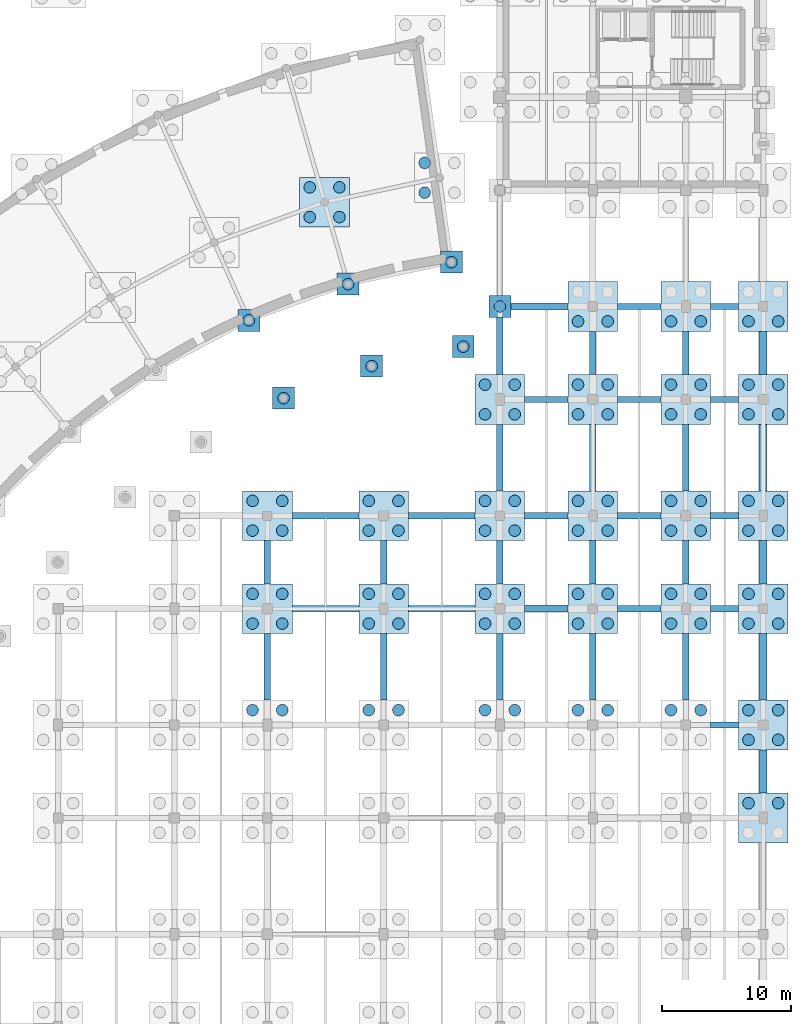
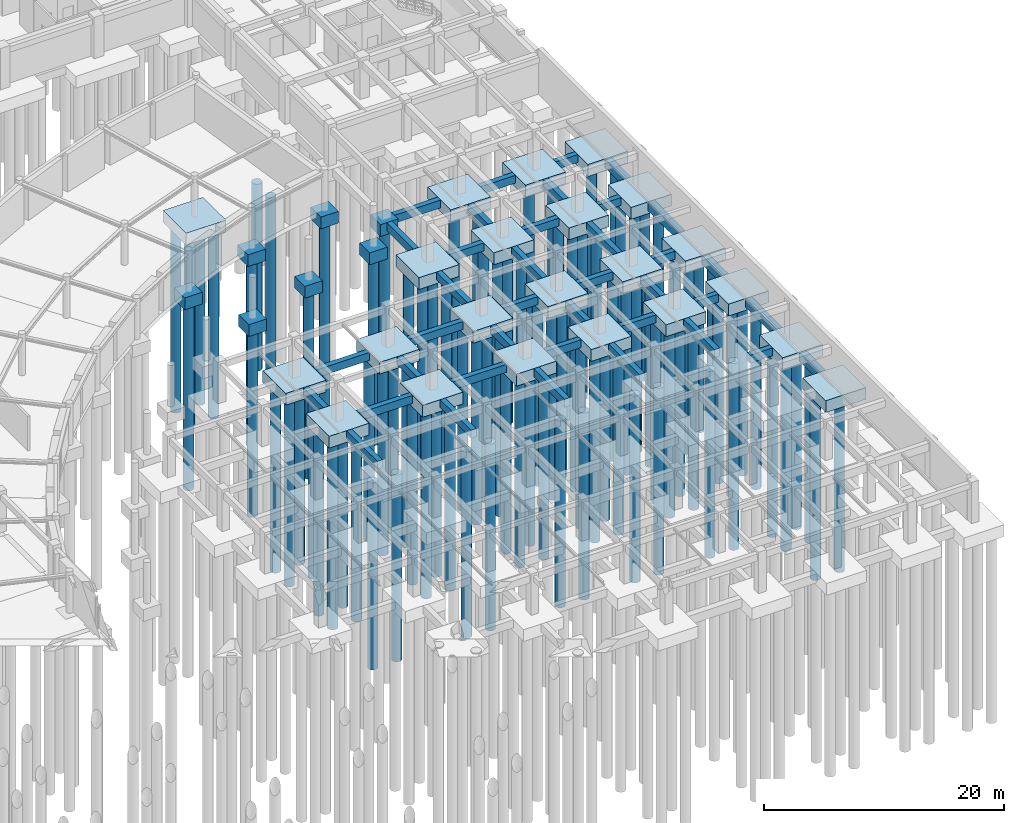
# One storey, part 10 of 42: 99 piles, 67 footings.
"""IFC4 building model written with IfcOpenShell, lengths in metres."""

from ifc_helpers import new_model, si_unit, direction, frame, frame_2d, origin, origin_2d, place, context, subcontext, project, spatial, rectangle, circle, extrude, material, material_profile, profile_set, type_object, element, save


model = new_model("IFC4")

# Units and contexts
model_context = context("Model", 3, precision=1e-05, world=origin(), true_north=direction((0.0, 1.0)))
body_context = subcontext(model_context, "Body", "Model", "MODEL_VIEW")
ifc_project = project(units=[si_unit("LENGTHUNIT", "METRE"), si_unit("AREAUNIT", "SQUARE_METRE"), si_unit("VOLUMEUNIT", "CUBIC_METRE"), si_unit("PLANEANGLEUNIT", "RADIAN"), si_unit("MASSUNIT", "GRAM", prefix="KILO")], contexts=[model_context])

# Site, building, storey
site_placement = place(None, origin())
site = spatial("IfcSite", under=ifc_project, at=site_placement, CompositionType="ELEMENT")
building_placement = place(site_placement, origin())
building = spatial("IfcBuilding", under=site, at=building_placement, Name="Clarverna Civic Hall", CompositionType="ELEMENT")
storey_placement = place(building_placement, frame((0.0, 0.0, -4.199951171875)))
storey = spatial("IfcBuildingStorey", under=building, at=storey_placement, Name="B01", CompositionType="ELEMENT", Elevation=-4.199951171875)

# Footings
ifc_material = material(Name="Concrete C30/37", Category="concrete")
footing_type_1 = type_object("IfcFootingType", Name="FC-02", PredefinedType="PILE_CAP", material=ifc_material)
for number, where, z_axis, x_axis, name in (
    (1, (134.0283203125, 70.67431640625, -1.2001953125), (0.0, 0.0, 1.0), (1.0, 0.0, 0.0), "FC-02-002"),
    (2, (129.60009765625, 39.199951171875, -1.2001953125), (0.0, 0.0, 1.0), (1.0, 0.0, 0.0), "FC-02-116"),
    (3, (129.60009765625, 46.39990234375, -1.2001953125), (0.0, 0.0, 1.0), (1.0, 0.0, 0.0), "FC-02-117"),
    (4, (138.60009765625, 39.199951171875, -1.2001953125), (0.0, 0.0, 1.0), (1.0, 0.0, 0.0), "FC-02-123"),
    (5, (138.60009765625, 46.39990234375, -1.2001953125), (0.0, 0.0, 1.0), (1.0, 0.0, 0.0), "FC-02-124"),
    (6, (147.60009765625, 39.199951171875, -1.2001953125), (0.0, 0.0, 1.0), (1.0, 0.0, 0.0), "FC-02-130"),
    (7, (147.60009765625, 46.39990234375, -1.2001953125), (0.0, 0.0, 1.0), (1.0, 0.0, 0.0), "FC-02-131"),
    (8, (147.60009765625, 55.39990234375, -1.2001953125), (0.0, 0.0, 1.0), (1.0, 0.0, 0.0), "FC-02-132"),
    (9, (154.800048828125, 39.199951171875, -1.2001953125), (0.0, 0.0, 1.0), (1.0, 0.0, 0.0), "FC-02-138"),
    (10, (154.800048828125, 46.39990234375, -1.2001953125), (0.0, 0.0, 1.0), (1.0, 0.0, 0.0), "FC-02-139"),
    (11, (154.800048828125, 55.39990234375, -1.2001953125), (0.0, 0.0, 1.0), (1.0, 0.0, 0.0), "FC-02-140"),
    (12, (154.800048828125, 62.60009765625, -1.2001953125), (0.0, 0.0, 1.0), (1.0, 0.0, 0.0), "FC-02-141"),
    (13, (162.0, 39.199951171875, -1.2001953125), (0.0, 0.0, 1.0), (1.0, 0.0, 0.0), "FC-02-147"),
    (14, (162.0, 46.39990234375, -1.2001953125), (0.0, 0.0, 1.0), (1.0, 0.0, 0.0), "FC-02-148"),
    (15, (162.0, 55.39990234375, -1.2001953125), (0.0, 0.0, 1.0), (1.0, 0.0, 0.0), "FC-02-149"),
    (16, (162.0, 62.60009765625, -1.2001953125), (0.0, 0.0, 1.0), (1.0, 0.0, 0.0), "FC-02-150"),
    (17, (168.0, 23.0, -1.2001953125), (0.0, 0.0, 1.0), (1.0, 0.0, 0.0), "FC-02-154"),
    (18, (168.0, 30.199951171875, -1.2001953125), (0.0, 0.0, 1.0), (1.0, 0.0, 0.0), "FC-02-155"),
    (19, (168.0, 39.199951171875, -1.2001953125), (0.0, 0.0, 1.0), (1.0, 0.0, 0.0), "FC-02-156"),
    (20, (168.0, 46.39990234375, -1.2001953125), (0.0, 0.0, 1.0), (1.0, 0.0, 0.0), "FC-02-157"),
    (21, (168.0, 55.39990234375, -1.2001953125), (0.0, 0.0, 1.0), (1.0, 0.0, 0.0), "FC-02-158"),
    (22, (168.0, 62.60009765625, -1.2001953125), (0.0, 0.0, 1.0), (1.0, 0.0, 0.0), "FC-02-159"),
):
    element("IfcFooting", number, at=place(storey_placement, frame(where, z_axis=z_axis, x_axis=x_axis)), inside=storey, type_object=footing_type_1, Name=name, PredefinedType="PILE_CAP", context=body_context, shape_type="SweptSolid", body=[
        extrude(rectangle(XDim=3.85009765625, YDim=3.85009765625, at=origin_2d()), origin(), (0.0, 0.0, 1.0), 1.199951171875),
    ])
footing_type_2 = type_object("IfcFootingType", Name="FC-06", PredefinedType="PILE_CAP", material=ifc_material)
for number, where, z_axis, x_axis, name in (
    (23, (143.844482421875, 66.02978515625, -1.2001953125), (0.0, 0.0, 1.0), (1.0, 0.0, 0.0), "FC-06-002"),
    (24, (135.84765625, 64.329833984375, -1.2001953125), (0.0, 0.0, 1.0), (1.0, 0.0, 0.0), "FC-06-003"),
    (25, (128.165283203125, 61.53369140625, -1.2001953125), (0.0, 0.0, 1.0), (1.0, 0.0, 0.0), "FC-06-004"),
    (26, (144.762939453125, 59.493896484375, -1.2001953125), (0.0, 0.0, 1.0), (1.0, 0.0, 0.0), "FC-06-012"),
    (27, (137.6669921875, 57.985595703125, -1.2001953125), (0.0, 0.0, 1.0), (1.0, 0.0, 0.0), "FC-06-013"),
    (28, (130.849609375, 55.50439453125, -1.2001953125), (0.0, 0.0, 1.0), (1.0, 0.0, 0.0), "FC-06-014"),
    (29, (147.60009765625, 62.60009765625, -1.2001953125), (0.0, 0.0, 1.0), (1.0, 0.0, 0.0), "FC-06-027"),
):
    element("IfcFooting", number, at=place(storey_placement, frame(where, z_axis=z_axis, x_axis=x_axis)), inside=storey, type_object=footing_type_2, Name=name, PredefinedType="PILE_CAP", context=body_context, shape_type="SweptSolid", body=[
        extrude(rectangle(XDim=1.699951171875, YDim=1.699951171875, at=origin_2d()), origin(), (0.0, 0.0, 1.0), 1.199951171875),
    ])
footing_type_3 = type_object("IfcFootingType", Name="GB-01", PredefinedType="FOOTING_BEAM", material=ifc_material)
footing_1_placement = place(storey_placement, frame((163.925048828125, 30.199951171875, -0.800048828125), z_axis=(0.0, 0.0, 1.0), x_axis=(1.0, 0.0, 0.0)))
element("IfcFooting", 30, at=footing_1_placement, inside=storey, type_object=footing_type_3, Name="GB-01-057", PredefinedType="FOOTING_BEAM", context=body_context, shape_type="SweptSolid", body=[
    extrude(rectangle(XDim=2.14990234375, YDim=0.5, at=frame_2d((1.074951171875, 0.0))), origin(), (0.0, 0.0, 1.0), 0.800048828125),
])
for number, where, z_axis, x_axis, name in (
    (31, (131.52490234375, 39.199951171875, -0.800048828125), (0.0, 0.0, 1.0), (1.0, 0.0, 0.0), "GB-01-063"),
    (32, (140.52490234375, 39.199951171875, -0.800048828125), (0.0, 0.0, 1.0), (1.0, 0.0, 0.0), "GB-01-064"),
):
    element("IfcFooting", number, at=place(storey_placement, frame(where, z_axis=z_axis, x_axis=x_axis)), inside=storey, type_object=footing_type_3, Name=name, PredefinedType="FOOTING_BEAM", context=body_context, shape_type="SweptSolid", body=[
        extrude(rectangle(XDim=5.150146484375, YDim=0.5, at=frame_2d((2.5751953125, 0.0))), origin(), (0.0, 0.0, 1.0), 0.800048828125),
    ])
footing_2_placement = place(storey_placement, frame((149.52490234375, 39.199951171875, -0.800048828125), z_axis=(0.0, 0.0, 1.0), x_axis=(1.0, 0.0, 0.0)))
element("IfcFooting", 33, at=footing_2_placement, inside=storey, type_object=footing_type_3, Name="GB-01-065", PredefinedType="FOOTING_BEAM", context=body_context, shape_type="SweptSolid", body=[
    extrude(rectangle(XDim=3.35009765625, YDim=0.5, at=frame_2d((1.675048828125, 0.0))), origin(), (0.0, 0.0, 1.0), 0.800048828125),
])
footing_3_placement = place(storey_placement, frame((156.72509765625, 39.199951171875, -0.800048828125), z_axis=(0.0, 0.0, 1.0), x_axis=(1.0, 0.0, 0.0)))
element("IfcFooting", 34, at=footing_3_placement, inside=storey, type_object=footing_type_3, Name="GB-01-066", PredefinedType="FOOTING_BEAM", context=body_context, shape_type="SweptSolid", body=[
    extrude(rectangle(XDim=3.349853515625, YDim=0.5, at=frame_2d((1.6748046875, 0.0))), origin(), (0.0, 0.0, 1.0), 0.800048828125),
])
footing_4_placement = place(storey_placement, frame((163.925048828125, 39.199951171875, -0.800048828125), z_axis=(0.0, 0.0, 1.0), x_axis=(1.0, 0.0, 0.0)))
element("IfcFooting", 35, at=footing_4_placement, inside=storey, type_object=footing_type_3, Name="GB-01-067", PredefinedType="FOOTING_BEAM", context=body_context, shape_type="SweptSolid", body=[
    extrude(rectangle(XDim=2.14990234375, YDim=0.5, at=frame_2d((1.074951171875, 0.0))), origin(), (0.0, 0.0, 1.0), 0.800048828125),
])
for number, where, z_axis, x_axis, name in (
    (36, (131.52490234375, 46.39990234375, -0.800048828125), (0.0, 0.0, 1.0), (1.0, 0.0, 0.0), "GB-01-077"),
    (37, (140.52490234375, 46.39990234375, -0.800048828125), (0.0, 0.0, 1.0), (1.0, 0.0, 0.0), "GB-01-078"),
):
    element("IfcFooting", number, at=place(storey_placement, frame(where, z_axis=z_axis, x_axis=x_axis)), inside=storey, type_object=footing_type_3, Name=name, PredefinedType="FOOTING_BEAM", context=body_context, shape_type="SweptSolid", body=[
        extrude(rectangle(XDim=5.150146484375, YDim=0.5, at=frame_2d((2.5751953125, 0.0))), origin(), (0.0, 0.0, 1.0), 0.800048828125),
    ])
footing_5_placement = place(storey_placement, frame((149.52490234375, 46.39990234375, -0.800048828125), z_axis=(0.0, 0.0, 1.0), x_axis=(1.0, 0.0, 0.0)))
element("IfcFooting", 38, at=footing_5_placement, inside=storey, type_object=footing_type_3, Name="GB-01-079", PredefinedType="FOOTING_BEAM", context=body_context, shape_type="SweptSolid", body=[
    extrude(rectangle(XDim=3.35009765625, YDim=0.5, at=frame_2d((1.675048828125, 0.0))), origin(), (0.0, 0.0, 1.0), 0.800048828125),
])
footing_6_placement = place(storey_placement, frame((156.72509765625, 46.39990234375, -0.800048828125), z_axis=(0.0, 0.0, 1.0), x_axis=(1.0, 0.0, 0.0)))
element("IfcFooting", 39, at=footing_6_placement, inside=storey, type_object=footing_type_3, Name="GB-01-080", PredefinedType="FOOTING_BEAM", context=body_context, shape_type="SweptSolid", body=[
    extrude(rectangle(XDim=3.349853515625, YDim=0.5, at=frame_2d((1.6748046875, 0.0))), origin(), (0.0, 0.0, 1.0), 0.800048828125),
])
footing_7_placement = place(storey_placement, frame((163.925048828125, 46.39990234375, -0.800048828125), z_axis=(0.0, 0.0, 1.0), x_axis=(1.0, 0.0, 0.0)))
element("IfcFooting", 40, at=footing_7_placement, inside=storey, type_object=footing_type_3, Name="GB-01-081", PredefinedType="FOOTING_BEAM", context=body_context, shape_type="SweptSolid", body=[
    extrude(rectangle(XDim=2.14990234375, YDim=0.5, at=frame_2d((1.074951171875, 0.0))), origin(), (0.0, 0.0, 1.0), 0.800048828125),
])
footing_8_placement = place(storey_placement, frame((149.52490234375, 55.39990234375, -0.800048828125), z_axis=(0.0, 0.0, 1.0), x_axis=(1.0, 0.0, 0.0)))
element("IfcFooting", 41, at=footing_8_placement, inside=storey, type_object=footing_type_3, Name="GB-01-090", PredefinedType="FOOTING_BEAM", context=body_context, shape_type="SweptSolid", body=[
    extrude(rectangle(XDim=3.35009765625, YDim=0.5, at=frame_2d((1.675048828125, 0.0))), origin(), (0.0, 0.0, 1.0), 0.800048828125),
])
footing_9_placement = place(storey_placement, frame((156.72509765625, 55.39990234375, -0.800048828125), z_axis=(0.0, 0.0, 1.0), x_axis=(1.0, 0.0, 0.0)))
element("IfcFooting", 42, at=footing_9_placement, inside=storey, type_object=footing_type_3, Name="GB-01-091", PredefinedType="FOOTING_BEAM", context=body_context, shape_type="SweptSolid", body=[
    extrude(rectangle(XDim=3.349853515625, YDim=0.5, at=frame_2d((1.6748046875, 0.0))), origin(), (0.0, 0.0, 1.0), 0.800048828125),
])
footing_10_placement = place(storey_placement, frame((163.925048828125, 55.39990234375, -0.800048828125), z_axis=(0.0, 0.0, 1.0), x_axis=(1.0, 0.0, 0.0)))
element("IfcFooting", 43, at=footing_10_placement, inside=storey, type_object=footing_type_3, Name="GB-01-092", PredefinedType="FOOTING_BEAM", context=body_context, shape_type="SweptSolid", body=[
    extrude(rectangle(XDim=2.14990234375, YDim=0.5, at=frame_2d((1.074951171875, 0.0))), origin(), (0.0, 0.0, 1.0), 0.800048828125),
])
footing_11_placement = place(storey_placement, frame((148.449951171875, 62.60009765625, -0.800048828125), z_axis=(0.0, 0.0, 1.0), x_axis=(1.0, 0.0, 0.0)))
element("IfcFooting", 44, at=footing_11_placement, inside=storey, type_object=footing_type_3, Name="GB-01-101", PredefinedType="FOOTING_BEAM", context=body_context, shape_type="SweptSolid", body=[
    extrude(rectangle(XDim=4.425048828125, YDim=0.5, at=frame_2d((2.21240234375, 0.0))), origin(), (0.0, 0.0, 1.0), 0.800048828125),
])
footing_12_placement = place(storey_placement, frame((156.72509765625, 62.60009765625, -0.800048828125), z_axis=(0.0, 0.0, 1.0), x_axis=(1.0, 0.0, 0.0)))
element("IfcFooting", 45, at=footing_12_placement, inside=storey, type_object=footing_type_3, Name="GB-01-102", PredefinedType="FOOTING_BEAM", context=body_context, shape_type="SweptSolid", body=[
    extrude(rectangle(XDim=3.349853515625, YDim=0.5, at=frame_2d((1.6748046875, 0.0))), origin(), (0.0, 0.0, 1.0), 0.800048828125),
])
footing_13_placement = place(storey_placement, frame((163.925048828125, 62.60009765625, -0.800048828125), z_axis=(0.0, 0.0, 1.0), x_axis=(1.0, 0.0, 0.0)))
element("IfcFooting", 46, at=footing_13_placement, inside=storey, type_object=footing_type_3, Name="GB-01-103", PredefinedType="FOOTING_BEAM", context=body_context, shape_type="SweptSolid", body=[
    extrude(rectangle(XDim=2.14990234375, YDim=0.5, at=frame_2d((1.074951171875, 0.0))), origin(), (0.0, 0.0, 1.0), 0.800048828125),
])
footing_14_placement = place(storey_placement, frame((129.60009765625, 32.125, -0.800048828125), z_axis=(0.0, 0.0, 1.0), x_axis=(0.0, 1.0, 0.0)))
element("IfcFooting", 47, at=footing_14_placement, inside=storey, type_object=footing_type_3, Name="GB-01-292", PredefinedType="FOOTING_BEAM", context=body_context, shape_type="SweptSolid", body=[
    extrude(rectangle(XDim=5.14990234375, YDim=0.5, at=frame_2d((2.574951171875, 0.0))), origin(), (0.0, 0.0, 1.0), 0.800048828125),
])
footing_15_placement = place(storey_placement, frame((129.60009765625, 41.125, -0.800048828125), z_axis=(0.0, 0.0, 1.0), x_axis=(0.0, 1.0, 0.0)))
element("IfcFooting", 48, at=footing_15_placement, inside=storey, type_object=footing_type_3, Name="GB-01-293", PredefinedType="FOOTING_BEAM", context=body_context, shape_type="SweptSolid", body=[
    extrude(rectangle(XDim=3.35009765625, YDim=0.5, at=frame_2d((1.675048828125, 0.0))), origin(), (0.0, 0.0, 1.0), 0.800048828125),
])
footing_16_placement = place(storey_placement, frame((138.60009765625, 32.125, -0.800048828125), z_axis=(0.0, 0.0, 1.0), x_axis=(0.0, 1.0, 0.0)))
element("IfcFooting", 49, at=footing_16_placement, inside=storey, type_object=footing_type_3, Name="GB-01-301", PredefinedType="FOOTING_BEAM", context=body_context, shape_type="SweptSolid", body=[
    extrude(rectangle(XDim=5.14990234375, YDim=0.5, at=frame_2d((2.574951171875, 0.0))), origin(), (0.0, 0.0, 1.0), 0.800048828125),
])
footing_17_placement = place(storey_placement, frame((138.60009765625, 41.125, -0.800048828125), z_axis=(0.0, 0.0, 1.0), x_axis=(0.0, 1.0, 0.0)))
element("IfcFooting", 50, at=footing_17_placement, inside=storey, type_object=footing_type_3, Name="GB-01-302", PredefinedType="FOOTING_BEAM", context=body_context, shape_type="SweptSolid", body=[
    extrude(rectangle(XDim=3.35009765625, YDim=0.5, at=frame_2d((1.675048828125, 0.0))), origin(), (0.0, 0.0, 1.0), 0.800048828125),
])
footing_18_placement = place(storey_placement, frame((147.60009765625, 32.125, -0.800048828125), z_axis=(0.0, 0.0, 1.0), x_axis=(0.0, 1.0, 0.0)))
element("IfcFooting", 51, at=footing_18_placement, inside=storey, type_object=footing_type_3, Name="GB-01-308", PredefinedType="FOOTING_BEAM", context=body_context, shape_type="SweptSolid", body=[
    extrude(rectangle(XDim=5.14990234375, YDim=0.5, at=frame_2d((2.574951171875, 0.0))), origin(), (0.0, 0.0, 1.0), 0.800048828125),
])
footing_19_placement = place(storey_placement, frame((147.60009765625, 41.125, -0.800048828125), z_axis=(0.0, 0.0, 1.0), x_axis=(0.0, 1.0, 0.0)))
element("IfcFooting", 52, at=footing_19_placement, inside=storey, type_object=footing_type_3, Name="GB-01-309", PredefinedType="FOOTING_BEAM", context=body_context, shape_type="SweptSolid", body=[
    extrude(rectangle(XDim=3.35009765625, YDim=0.5, at=frame_2d((1.675048828125, 0.0))), origin(), (0.0, 0.0, 1.0), 0.800048828125),
])
footing_20_placement = place(storey_placement, frame((147.60009765625, 48.324951171875, -0.800048828125), z_axis=(0.0, 0.0, 1.0), x_axis=(0.0, 1.0, 0.0)))
element("IfcFooting", 53, at=footing_20_placement, inside=storey, type_object=footing_type_3, Name="GB-01-310", PredefinedType="FOOTING_BEAM", context=body_context, shape_type="SweptSolid", body=[
    extrude(rectangle(XDim=5.150146484375, YDim=0.5, at=frame_2d((2.5751953125, 0.0))), origin(), (0.0, 0.0, 1.0), 0.800048828125),
])
footing_21_placement = place(storey_placement, frame((147.60009765625, 57.324951171875, -0.800048828125), z_axis=(0.0, 0.0, 1.0), x_axis=(0.0, 1.0, 0.0)))
element("IfcFooting", 54, at=footing_21_placement, inside=storey, type_object=footing_type_3, Name="GB-01-311", PredefinedType="FOOTING_BEAM", context=body_context, shape_type="SweptSolid", body=[
    extrude(rectangle(XDim=4.425048828125, YDim=0.5, at=frame_2d((2.21240234375, 0.0))), origin(), (0.0, 0.0, 1.0), 0.800048828125),
])
footing_22_placement = place(storey_placement, frame((154.800048828125, 32.125, -0.800048828125), z_axis=(0.0, 0.0, 1.0), x_axis=(0.0, 1.0, 0.0)))
element("IfcFooting", 55, at=footing_22_placement, inside=storey, type_object=footing_type_3, Name="GB-01-323", PredefinedType="FOOTING_BEAM", context=body_context, shape_type="SweptSolid", body=[
    extrude(rectangle(XDim=5.14990234375, YDim=0.5, at=frame_2d((2.574951171875, 0.0))), origin(), (0.0, 0.0, 1.0), 0.800048828125),
])
footing_23_placement = place(storey_placement, frame((154.800048828125, 41.125, -0.800048828125), z_axis=(0.0, 0.0, 1.0), x_axis=(0.0, 1.0, 0.0)))
element("IfcFooting", 56, at=footing_23_placement, inside=storey, type_object=footing_type_3, Name="GB-01-324", PredefinedType="FOOTING_BEAM", context=body_context, shape_type="SweptSolid", body=[
    extrude(rectangle(XDim=3.35009765625, YDim=0.5, at=frame_2d((1.675048828125, 0.0))), origin(), (0.0, 0.0, 1.0), 0.800048828125),
])
footing_24_placement = place(storey_placement, frame((154.800048828125, 48.324951171875, -0.800048828125), z_axis=(0.0, 0.0, 1.0), x_axis=(0.0, 1.0, 0.0)))
element("IfcFooting", 57, at=footing_24_placement, inside=storey, type_object=footing_type_3, Name="GB-01-325", PredefinedType="FOOTING_BEAM", context=body_context, shape_type="SweptSolid", body=[
    extrude(rectangle(XDim=5.150146484375, YDim=0.5, at=frame_2d((2.5751953125, 0.0))), origin(), (0.0, 0.0, 1.0), 0.800048828125),
])
footing_25_placement = place(storey_placement, frame((154.800048828125, 57.324951171875, -0.800048828125), z_axis=(0.0, 0.0, 1.0), x_axis=(0.0, 1.0, 0.0)))
element("IfcFooting", 58, at=footing_25_placement, inside=storey, type_object=footing_type_3, Name="GB-01-326", PredefinedType="FOOTING_BEAM", context=body_context, shape_type="SweptSolid", body=[
    extrude(rectangle(XDim=3.35009765625, YDim=0.5, at=frame_2d((1.675048828125, 0.0))), origin(), (0.0, 0.0, 1.0), 0.800048828125),
])
footing_26_placement = place(storey_placement, frame((162.0, 32.125, -0.800048828125), z_axis=(0.0, 0.0, 1.0), x_axis=(0.0, 1.0, 0.0)))
element("IfcFooting", 59, at=footing_26_placement, inside=storey, type_object=footing_type_3, Name="GB-01-338", PredefinedType="FOOTING_BEAM", context=body_context, shape_type="SweptSolid", body=[
    extrude(rectangle(XDim=5.14990234375, YDim=0.5, at=frame_2d((2.574951171875, 0.0))), origin(), (0.0, 0.0, 1.0), 0.800048828125),
])
footing_27_placement = place(storey_placement, frame((162.0, 41.125, -0.800048828125), z_axis=(0.0, 0.0, 1.0), x_axis=(0.0, 1.0, 0.0)))
element("IfcFooting", 60, at=footing_27_placement, inside=storey, type_object=footing_type_3, Name="GB-01-339", PredefinedType="FOOTING_BEAM", context=body_context, shape_type="SweptSolid", body=[
    extrude(rectangle(XDim=3.35009765625, YDim=0.5, at=frame_2d((1.675048828125, 0.0))), origin(), (0.0, 0.0, 1.0), 0.800048828125),
])
footing_28_placement = place(storey_placement, frame((162.0, 48.324951171875, -0.800048828125), z_axis=(0.0, 0.0, 1.0), x_axis=(0.0, 1.0, 0.0)))
element("IfcFooting", 61, at=footing_28_placement, inside=storey, type_object=footing_type_3, Name="GB-01-340", PredefinedType="FOOTING_BEAM", context=body_context, shape_type="SweptSolid", body=[
    extrude(rectangle(XDim=5.150146484375, YDim=0.5, at=frame_2d((2.5751953125, 0.0))), origin(), (0.0, 0.0, 1.0), 0.800048828125),
])
footing_29_placement = place(storey_placement, frame((162.0, 57.324951171875, -0.800048828125), z_axis=(0.0, 0.0, 1.0), x_axis=(0.0, 1.0, 0.0)))
element("IfcFooting", 62, at=footing_29_placement, inside=storey, type_object=footing_type_3, Name="GB-01-341", PredefinedType="FOOTING_BEAM", context=body_context, shape_type="SweptSolid", body=[
    extrude(rectangle(XDim=3.35009765625, YDim=0.5, at=frame_2d((1.675048828125, 0.0))), origin(), (0.0, 0.0, 1.0), 0.800048828125),
])
footing_type_4 = type_object("IfcFootingType", Name="GB-02", PredefinedType="FOOTING_BEAM", material=ifc_material)
footing_30_placement = place(storey_placement, frame((168.0, 24.925048828125, -0.900146484375), z_axis=(0.0, 0.0, 1.0), x_axis=(0.0, 1.0, 0.0)))
element("IfcFooting", 63, at=footing_30_placement, inside=storey, type_object=footing_type_4, Name="GB-02-053", PredefinedType="FOOTING_BEAM", context=body_context, shape_type="SweptSolid", body=[
    extrude(rectangle(XDim=3.349853515625, YDim=0.60009765625, at=frame_2d((1.6748046875, 0.0))), origin(), (0.0, 0.0, 1.0), 0.900146484375),
])
footing_31_placement = place(storey_placement, frame((168.0, 32.125, -0.900146484375), z_axis=(0.0, 0.0, 1.0), x_axis=(0.0, 1.0, 0.0)))
element("IfcFooting", 64, at=footing_31_placement, inside=storey, type_object=footing_type_4, Name="GB-02-054", PredefinedType="FOOTING_BEAM", context=body_context, shape_type="SweptSolid", body=[
    extrude(rectangle(XDim=5.14990234375, YDim=0.60009765625, at=frame_2d((2.574951171875, 0.0))), origin(), (0.0, 0.0, 1.0), 0.900146484375),
])
footing_32_placement = place(storey_placement, frame((168.0, 41.125, -0.900146484375), z_axis=(0.0, 0.0, 1.0), x_axis=(0.0, 1.0, 0.0)))
element("IfcFooting", 65, at=footing_32_placement, inside=storey, type_object=footing_type_4, Name="GB-02-055", PredefinedType="FOOTING_BEAM", context=body_context, shape_type="SweptSolid", body=[
    extrude(rectangle(XDim=3.35009765625, YDim=0.60009765625, at=frame_2d((1.675048828125, 0.0))), origin(), (0.0, 0.0, 1.0), 0.900146484375),
])
footing_33_placement = place(storey_placement, frame((168.0, 48.324951171875, -0.900146484375), z_axis=(0.0, 0.0, 1.0), x_axis=(0.0, 1.0, 0.0)))
element("IfcFooting", 66, at=footing_33_placement, inside=storey, type_object=footing_type_4, Name="GB-02-056", PredefinedType="FOOTING_BEAM", context=body_context, shape_type="SweptSolid", body=[
    extrude(rectangle(XDim=5.150146484375, YDim=0.60009765625, at=frame_2d((2.5751953125, 0.0))), origin(), (0.0, 0.0, 1.0), 0.900146484375),
])
footing_34_placement = place(storey_placement, frame((168.0, 57.324951171875, -0.900146484375), z_axis=(0.0, 0.0, 1.0), x_axis=(0.0, 1.0, 0.0)))
element("IfcFooting", 67, at=footing_34_placement, inside=storey, type_object=footing_type_4, Name="GB-02-057", PredefinedType="FOOTING_BEAM", context=body_context, shape_type="SweptSolid", body=[
    extrude(rectangle(XDim=3.35009765625, YDim=0.60009765625, at=frame_2d((1.675048828125, 0.0))), origin(), (0.0, 0.0, 1.0), 0.900146484375),
])

# Piles
ifc_material_profile = material_profile(ifc_material, circle(Radius=0.449951171875, at=origin_2d()), Name="BORED PILE D900")
ifc_profile_set = profile_set([ifc_material_profile], Name="Concrete C30/37")
pile_type = type_object("IfcPileType", Name="PL-01", PredefinedType="BORED", material=ifc_profile_set)
for number, where, z_axis, x_axis, name in (
    (68, (141.77587890625, 71.41552734375, -1.10009765625), (0.0, 0.0, -1.0), (1.0, 0.0, 0.0), "PL-01-025"),
    (69, (141.77587890625, 73.715576171875, -1.10009765625), (0.0, 0.0, -1.0), (1.0, 0.0, 0.0), "PL-01-027"),
    (70, (132.87841796875, 69.5244140625, -1.10009765625), (0.0, 0.0, -1.0), (1.0, 0.0, 0.0), "PL-01-029"),
    (71, (135.178466796875, 69.5244140625, -1.10009765625), (0.0, 0.0, -1.0), (1.0, 0.0, 0.0), "PL-01-030"),
    (72, (132.87841796875, 71.82421875, -1.10009765625), (0.0, 0.0, -1.0), (1.0, 0.0, 0.0), "PL-01-031"),
    (73, (135.178466796875, 71.82421875, -1.10009765625), (0.0, 0.0, -1.0), (1.0, 0.0, 0.0), "PL-01-032"),
    (74, (143.844482421875, 66.02978515625, -1.10009765625), (0.0, 0.0, -1.0), (1.0, 0.0, 0.0), "PL-01-098"),
    (75, (135.84765625, 64.329833984375, -1.10009765625), (0.0, 0.0, -1.0), (1.0, 0.0, 0.0), "PL-01-099"),
    (76, (128.165283203125, 61.53369140625, -1.10009765625), (0.0, 0.0, -1.0), (1.0, 0.0, 0.0), "PL-01-100"),
    (77, (144.762939453125, 59.493896484375, -1.10009765625), (0.0, 0.0, -1.0), (1.0, 0.0, 0.0), "PL-01-108"),
    (78, (137.6669921875, 57.985595703125, -1.10009765625), (0.0, 0.0, -1.0), (1.0, 0.0, 0.0), "PL-01-109"),
    (79, (130.849609375, 55.50439453125, -1.10009765625), (0.0, 0.0, -1.0), (1.0, 0.0, 0.0), "PL-01-110"),
    (80, (128.449951171875, 31.35009765625, -1.10009765625), (0.0, 0.0, -1.0), (1.0, 0.0, 0.0), "PL-01-539"),
    (81, (130.75, 31.35009765625, -1.10009765625), (0.0, 0.0, -1.0), (1.0, 0.0, 0.0), "PL-01-540"),
    (82, (128.449951171875, 38.050048828125, -1.10009765625), (0.0, 0.0, -1.0), (1.0, 0.0, 0.0), "PL-01-541"),
    (83, (130.75, 38.050048828125, -1.10009765625), (0.0, 0.0, -1.0), (1.0, 0.0, 0.0), "PL-01-542"),
    (84, (128.449951171875, 40.35009765625, -1.10009765625), (0.0, 0.0, -1.0), (1.0, 0.0, 0.0), "PL-01-543"),
    (85, (130.75, 40.35009765625, -1.10009765625), (0.0, 0.0, -1.0), (1.0, 0.0, 0.0), "PL-01-544"),
    (86, (128.449951171875, 45.25, -1.10009765625), (0.0, 0.0, -1.0), (1.0, 0.0, 0.0), "PL-01-545"),
    (87, (130.75, 45.25, -1.10009765625), (0.0, 0.0, -1.0), (1.0, 0.0, 0.0), "PL-01-546"),
    (88, (128.449951171875, 47.550048828125, -1.10009765625), (0.0, 0.0, -1.0), (1.0, 0.0, 0.0), "PL-01-547"),
    (89, (130.75, 47.550048828125, -1.10009765625), (0.0, 0.0, -1.0), (1.0, 0.0, 0.0), "PL-01-548"),
    (90, (137.449951171875, 31.35009765625, -1.10009765625), (0.0, 0.0, -1.0), (1.0, 0.0, 0.0), "PL-01-585"),
    (91, (139.75, 31.35009765625, -1.10009765625), (0.0, 0.0, -1.0), (1.0, 0.0, 0.0), "PL-01-586"),
    (92, (137.449951171875, 38.050048828125, -1.10009765625), (0.0, 0.0, -1.0), (1.0, 0.0, 0.0), "PL-01-587"),
    (93, (139.75, 38.050048828125, -1.10009765625), (0.0, 0.0, -1.0), (1.0, 0.0, 0.0), "PL-01-588"),
    (94, (137.449951171875, 40.35009765625, -1.10009765625), (0.0, 0.0, -1.0), (1.0, 0.0, 0.0), "PL-01-589"),
    (95, (139.75, 40.35009765625, -1.10009765625), (0.0, 0.0, -1.0), (1.0, 0.0, 0.0), "PL-01-590"),
    (96, (137.449951171875, 45.25, -1.10009765625), (0.0, 0.0, -1.0), (1.0, 0.0, 0.0), "PL-01-591"),
    (97, (139.75, 45.25, -1.10009765625), (0.0, 0.0, -1.0), (1.0, 0.0, 0.0), "PL-01-592"),
    (98, (137.449951171875, 47.550048828125, -1.10009765625), (0.0, 0.0, -1.0), (1.0, 0.0, 0.0), "PL-01-593"),
    (99, (139.75, 47.550048828125, -1.10009765625), (0.0, 0.0, -1.0), (1.0, 0.0, 0.0), "PL-01-594"),
    (100, (146.449951171875, 31.35009765625, -1.10009765625), (0.0, 0.0, -1.0), (1.0, 0.0, 0.0), "PL-01-625"),
    (101, (148.75, 31.35009765625, -1.10009765625), (0.0, 0.0, -1.0), (1.0, 0.0, 0.0), "PL-01-626"),
    (102, (146.449951171875, 38.050048828125, -1.10009765625), (0.0, 0.0, -1.0), (1.0, 0.0, 0.0), "PL-01-627"),
    (103, (148.75, 38.050048828125, -1.10009765625), (0.0, 0.0, -1.0), (1.0, 0.0, 0.0), "PL-01-628"),
    (104, (146.449951171875, 40.35009765625, -1.10009765625), (0.0, 0.0, -1.0), (1.0, 0.0, 0.0), "PL-01-629"),
    (105, (148.75, 40.35009765625, -1.10009765625), (0.0, 0.0, -1.0), (1.0, 0.0, 0.0), "PL-01-630"),
    (106, (146.449951171875, 45.25, -1.10009765625), (0.0, 0.0, -1.0), (1.0, 0.0, 0.0), "PL-01-631"),
    (107, (148.75, 45.25, -1.10009765625), (0.0, 0.0, -1.0), (1.0, 0.0, 0.0), "PL-01-632"),
    (108, (146.449951171875, 47.550048828125, -1.10009765625), (0.0, 0.0, -1.0), (1.0, 0.0, 0.0), "PL-01-633"),
    (109, (148.75, 47.550048828125, -1.10009765625), (0.0, 0.0, -1.0), (1.0, 0.0, 0.0), "PL-01-634"),
    (110, (146.449951171875, 54.25, -1.10009765625), (0.0, 0.0, -1.0), (1.0, 0.0, 0.0), "PL-01-635"),
    (111, (148.75, 54.25, -1.10009765625), (0.0, 0.0, -1.0), (1.0, 0.0, 0.0), "PL-01-636"),
    (112, (146.449951171875, 56.550048828125, -1.10009765625), (0.0, 0.0, -1.0), (1.0, 0.0, 0.0), "PL-01-637"),
    (113, (148.75, 56.550048828125, -1.10009765625), (0.0, 0.0, -1.0), (1.0, 0.0, 0.0), "PL-01-638"),
    (114, (147.60009765625, 62.60009765625, -1.10009765625), (0.0, 0.0, -1.0), (1.0, 0.0, 0.0), "PL-01-639"),
    (115, (153.64990234375, 31.35009765625, -1.10009765625), (0.0, 0.0, -1.0), (1.0, 0.0, 0.0), "PL-01-689"),
    (116, (155.949951171875, 31.35009765625, -1.10009765625), (0.0, 0.0, -1.0), (1.0, 0.0, 0.0), "PL-01-690"),
    (117, (153.64990234375, 38.050048828125, -1.10009765625), (0.0, 0.0, -1.0), (1.0, 0.0, 0.0), "PL-01-691"),
    (118, (155.949951171875, 38.050048828125, -1.10009765625), (0.0, 0.0, -1.0), (1.0, 0.0, 0.0), "PL-01-692"),
    (119, (153.64990234375, 40.35009765625, -1.10009765625), (0.0, 0.0, -1.0), (1.0, 0.0, 0.0), "PL-01-693"),
    (120, (155.949951171875, 40.35009765625, -1.10009765625), (0.0, 0.0, -1.0), (1.0, 0.0, 0.0), "PL-01-694"),
    (121, (153.64990234375, 45.25, -1.10009765625), (0.0, 0.0, -1.0), (1.0, 0.0, 0.0), "PL-01-695"),
    (122, (155.949951171875, 45.25, -1.10009765625), (0.0, 0.0, -1.0), (1.0, 0.0, 0.0), "PL-01-696"),
    (123, (153.64990234375, 47.550048828125, -1.10009765625), (0.0, 0.0, -1.0), (1.0, 0.0, 0.0), "PL-01-697"),
    (124, (155.949951171875, 47.550048828125, -1.10009765625), (0.0, 0.0, -1.0), (1.0, 0.0, 0.0), "PL-01-698"),
    (125, (153.64990234375, 54.25, -1.10009765625), (0.0, 0.0, -1.0), (1.0, 0.0, 0.0), "PL-01-699"),
    (126, (155.949951171875, 54.25, -1.10009765625), (0.0, 0.0, -1.0), (1.0, 0.0, 0.0), "PL-01-700"),
    (127, (153.64990234375, 56.550048828125, -1.10009765625), (0.0, 0.0, -1.0), (1.0, 0.0, 0.0), "PL-01-701"),
    (128, (155.949951171875, 56.550048828125, -1.10009765625), (0.0, 0.0, -1.0), (1.0, 0.0, 0.0), "PL-01-702"),
    (129, (153.64990234375, 61.449951171875, -1.10009765625), (0.0, 0.0, -1.0), (1.0, 0.0, 0.0), "PL-01-703"),
    (130, (155.949951171875, 61.449951171875, -1.10009765625), (0.0, 0.0, -1.0), (1.0, 0.0, 0.0), "PL-01-704"),
    (131, (160.85009765625, 31.35009765625, -1.10009765625), (0.0, 0.0, -1.0), (1.0, 0.0, 0.0), "PL-01-749"),
    (132, (163.14990234375, 31.35009765625, -1.10009765625), (0.0, 0.0, -1.0), (1.0, 0.0, 0.0), "PL-01-750"),
    (133, (160.85009765625, 38.050048828125, -1.10009765625), (0.0, 0.0, -1.0), (1.0, 0.0, 0.0), "PL-01-751"),
    (134, (163.14990234375, 38.050048828125, -1.10009765625), (0.0, 0.0, -1.0), (1.0, 0.0, 0.0), "PL-01-752"),
    (135, (160.85009765625, 40.35009765625, -1.10009765625), (0.0, 0.0, -1.0), (1.0, 0.0, 0.0), "PL-01-753"),
    (136, (163.14990234375, 40.35009765625, -1.10009765625), (0.0, 0.0, -1.0), (1.0, 0.0, 0.0), "PL-01-754"),
    (137, (160.85009765625, 45.25, -1.10009765625), (0.0, 0.0, -1.0), (1.0, 0.0, 0.0), "PL-01-755"),
    (138, (163.14990234375, 45.25, -1.10009765625), (0.0, 0.0, -1.0), (1.0, 0.0, 0.0), "PL-01-756"),
    (139, (160.85009765625, 47.550048828125, -1.10009765625), (0.0, 0.0, -1.0), (1.0, 0.0, 0.0), "PL-01-757"),
    (140, (163.14990234375, 47.550048828125, -1.10009765625), (0.0, 0.0, -1.0), (1.0, 0.0, 0.0), "PL-01-758"),
    (141, (160.85009765625, 54.25, -1.10009765625), (0.0, 0.0, -1.0), (1.0, 0.0, 0.0), "PL-01-759"),
    (142, (163.14990234375, 54.25, -1.10009765625), (0.0, 0.0, -1.0), (1.0, 0.0, 0.0), "PL-01-760"),
    (143, (160.85009765625, 56.550048828125, -1.10009765625), (0.0, 0.0, -1.0), (1.0, 0.0, 0.0), "PL-01-761"),
    (144, (163.14990234375, 56.550048828125, -1.10009765625), (0.0, 0.0, -1.0), (1.0, 0.0, 0.0), "PL-01-762"),
    (145, (160.85009765625, 61.449951171875, -1.10009765625), (0.0, 0.0, -1.0), (1.0, 0.0, 0.0), "PL-01-763"),
    (146, (163.14990234375, 61.449951171875, -1.10009765625), (0.0, 0.0, -1.0), (1.0, 0.0, 0.0), "PL-01-764"),
    (147, (166.85009765625, 24.14990234375, -1.10009765625), (0.0, 0.0, -1.0), (1.0, 0.0, 0.0), "PL-01-805"),
    (148, (169.14990234375, 24.14990234375, -1.10009765625), (0.0, 0.0, -1.0), (1.0, 0.0, 0.0), "PL-01-806"),
    (149, (166.85009765625, 29.050048828125, -1.10009765625), (0.0, 0.0, -1.0), (1.0, 0.0, 0.0), "PL-01-807"),
    (150, (169.14990234375, 29.050048828125, -1.10009765625), (0.0, 0.0, -1.0), (1.0, 0.0, 0.0), "PL-01-808"),
    (151, (166.85009765625, 31.35009765625, -1.10009765625), (0.0, 0.0, -1.0), (1.0, 0.0, 0.0), "PL-01-809"),
    (152, (169.14990234375, 31.35009765625, -1.10009765625), (0.0, 0.0, -1.0), (1.0, 0.0, 0.0), "PL-01-810"),
    (153, (166.85009765625, 38.050048828125, -1.10009765625), (0.0, 0.0, -1.0), (1.0, 0.0, 0.0), "PL-01-811"),
    (154, (169.14990234375, 38.050048828125, -1.10009765625), (0.0, 0.0, -1.0), (1.0, 0.0, 0.0), "PL-01-812"),
    (155, (166.85009765625, 40.35009765625, -1.10009765625), (0.0, 0.0, -1.0), (1.0, 0.0, 0.0), "PL-01-813"),
    (156, (169.14990234375, 40.35009765625, -1.10009765625), (0.0, 0.0, -1.0), (1.0, 0.0, 0.0), "PL-01-814"),
    (157, (166.85009765625, 45.25, -1.10009765625), (0.0, 0.0, -1.0), (1.0, 0.0, 0.0), "PL-01-815"),
    (158, (169.14990234375, 45.25, -1.10009765625), (0.0, 0.0, -1.0), (1.0, 0.0, 0.0), "PL-01-816"),
    (159, (166.85009765625, 47.550048828125, -1.10009765625), (0.0, 0.0, -1.0), (1.0, 0.0, 0.0), "PL-01-817"),
    (160, (169.14990234375, 47.550048828125, -1.10009765625), (0.0, 0.0, -1.0), (1.0, 0.0, 0.0), "PL-01-818"),
    (161, (166.85009765625, 54.25, -1.10009765625), (0.0, 0.0, -1.0), (1.0, 0.0, 0.0), "PL-01-819"),
    (162, (169.14990234375, 54.25, -1.10009765625), (0.0, 0.0, -1.0), (1.0, 0.0, 0.0), "PL-01-820"),
    (163, (166.85009765625, 56.550048828125, -1.10009765625), (0.0, 0.0, -1.0), (1.0, 0.0, 0.0), "PL-01-821"),
    (164, (169.14990234375, 56.550048828125, -1.10009765625), (0.0, 0.0, -1.0), (1.0, 0.0, 0.0), "PL-01-822"),
    (165, (166.85009765625, 61.449951171875, -1.10009765625), (0.0, 0.0, -1.0), (1.0, 0.0, 0.0), "PL-01-823"),
    (166, (169.14990234375, 61.449951171875, -1.10009765625), (0.0, 0.0, -1.0), (1.0, 0.0, 0.0), "PL-01-824"),
):
    element("IfcPile", number, at=place(storey_placement, frame(where, z_axis=z_axis, x_axis=x_axis)), inside=storey, type_object=pile_type, Name=name, PredefinedType="BORED", context=body_context, shape_type="SweptSolid", body=[
        extrude(circle(Radius=0.449951171875, at=origin_2d()), origin(), (0.0, 0.0, 1.0), 19.0),
    ])

save(model, "model.ifc")
